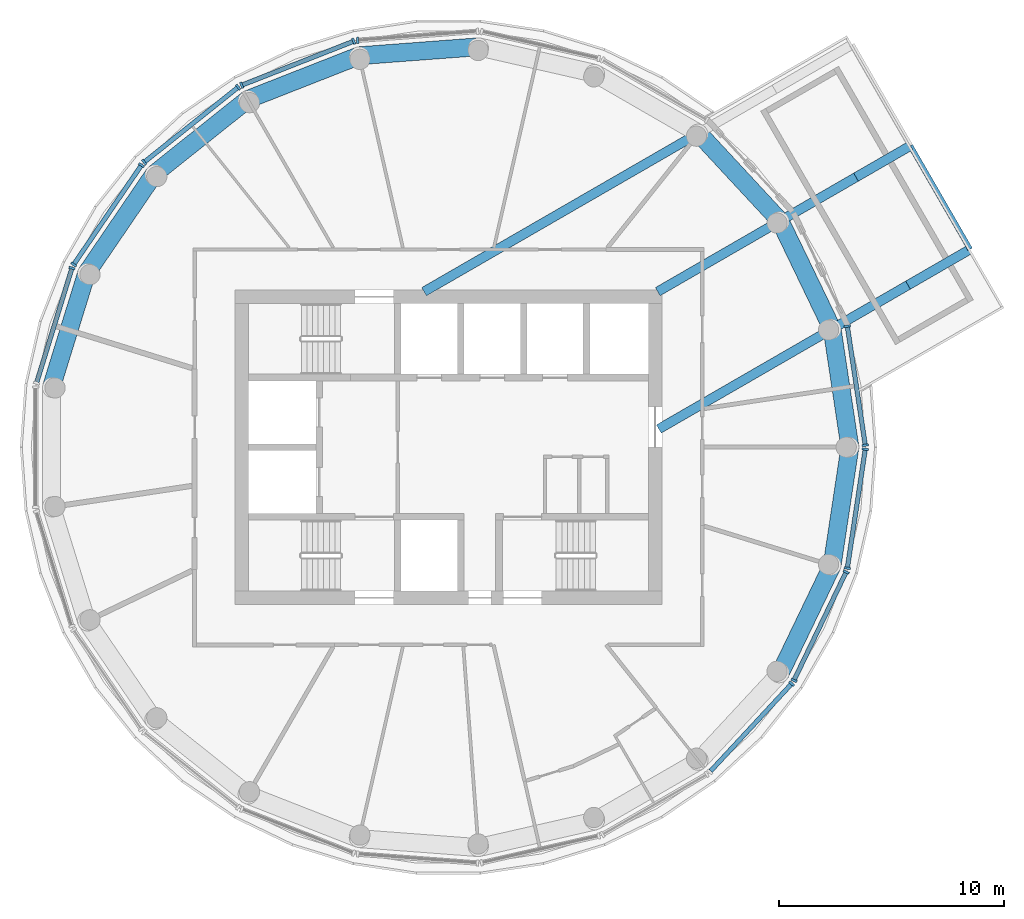
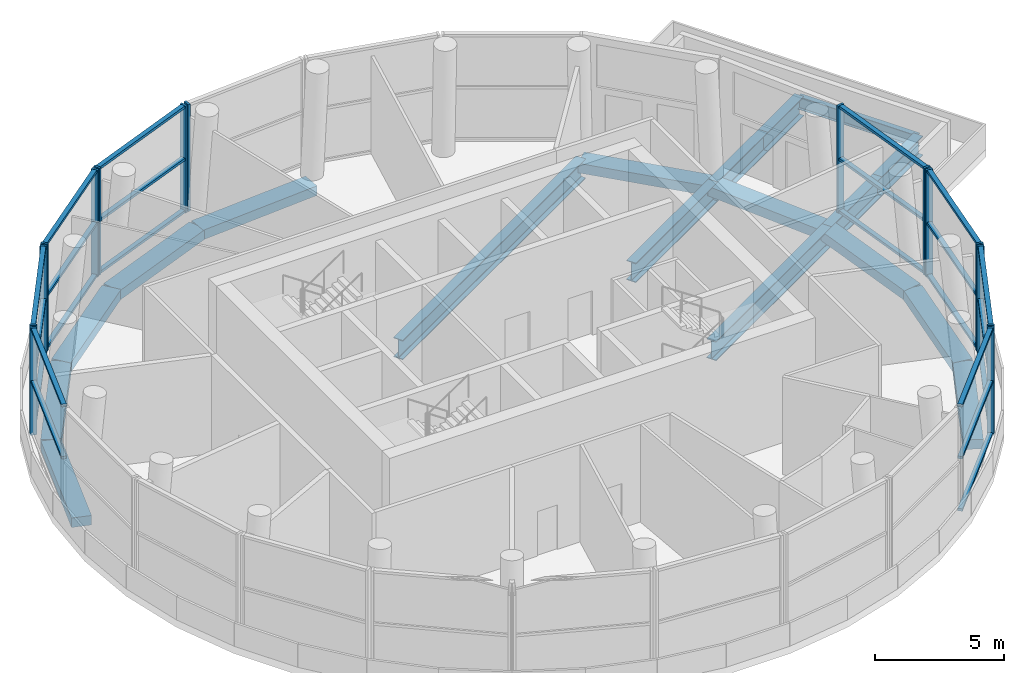
# One storey, part 2 of 10: 38 members, 18 beams, 9 elements without a shape of their own.
"""IFC4 building model written with IfcOpenShell, lengths in metres."""

from ifc_helpers import new_model, si_unit, direction, frame, origin, origin_2d, place, context, subcontext, project, spatial, rectangle, i_section, extrude, material, material_profile, profile_set, type_object, element, aggregate, save


model = new_model("IFC4")

# Units and contexts
model_context = context("Model", 3, precision=1e-05, world=origin(), true_north=direction((0.0, 1.0)))
body_context = subcontext(model_context, "Body", "Model", "MODEL_VIEW")
ifc_project = project(units=[si_unit("LENGTHUNIT", "METRE"), si_unit("AREAUNIT", "SQUARE_METRE"), si_unit("VOLUMEUNIT", "CUBIC_METRE"), si_unit("PLANEANGLEUNIT", "RADIAN"), si_unit("MASSUNIT", "GRAM", prefix="KILO")], contexts=[model_context])

# Site, building, storey
site_placement = place(None, origin())
site = spatial("IfcSite", under=ifc_project, at=site_placement, CompositionType="ELEMENT")
building_placement = place(site_placement, origin())
building = spatial("IfcBuilding", under=site, at=building_placement, Name="Tracery Tower", CompositionType="ELEMENT")
storey_placement = place(building_placement, frame((0.0, 0.0, 341.39990234375)))
storey = spatial("IfcBuildingStorey", under=building, at=storey_placement, Name="L88", CompositionType="ELEMENT", Elevation=341.39990234375)

# Beams
ifc_material_1 = material(Name="Concrete C40/50", Category="concrete")
ifc_material_profile_1 = material_profile(ifc_material_1, rectangle(XDim=0.800048828125, YDim=0.449951171875, at=origin_2d()), Name="RC 800x450")
ifc_profile_set_1 = profile_set([ifc_material_profile_1], Name="Concrete C40/50")
beam_type_1 = type_object("IfcBeamType", Name="Perimeter band beam 800x450", PredefinedType="BEAM", material=ifc_profile_set_1)
beam_1_placement = place(storey_placement, frame((17.87548828125, 0.0, -0.574951171875), z_axis=(-0.149050672167, 0.988829559189, 0.0), x_axis=(-0.988829559189, -0.149050672167, 0.0)))
element("IfcBeam", 1, at=beam_1_placement, inside=storey, type_object=beam_type_1, Name="Perimeter beam 2.00 under L88", PredefinedType="BEAM", context=body_context, shape_type="SweptSolid", body=[
    extrude(rectangle(XDim=0.800048828125, YDim=0.449951171875, at=origin_2d()), origin(), (0.0, 0.0, 1.0), 5.328369140625),
])
beam_2_placement = place(storey_placement, frame((17.081298828125, 5.268798828125, -0.574951171875), z_axis=(-0.433895517771, 0.900963195507, 0.0), x_axis=(-0.900963195507, -0.433895517771, 0.0)))
element("IfcBeam", 2, at=beam_2_placement, inside=storey, type_object=beam_type_1, Name="Perimeter beam 2.01 under L88", PredefinedType="BEAM", context=body_context, shape_type="SweptSolid", body=[
    extrude(rectangle(XDim=0.800048828125, YDim=0.449951171875, at=origin_2d()), origin(), (0.0, 0.0, 1.0), 5.32861328125),
])
for number, where, z_axis, x_axis, name in (
    (3, (14.769287109375, 10.069580078125, -0.574951171875), (-0.680150513849, 0.733072491989, 0.0), (-0.733072491989, -0.680150513849, 0.0), "Perimeter beam 2.02 under L88"),
    (4, (1.335693359375, 17.825439453125, -0.574951171875), (-0.997203750489, -0.074730716644, 0.0), (0.074730716644, -0.997203750489, 0.0), "Perimeter beam 2.05 under L88"),
):
    element("IfcBeam", number, at=place(storey_placement, frame(where, z_axis=z_axis, x_axis=x_axis)), inside=storey, type_object=beam_type_1, Name=name, PredefinedType="BEAM", context=body_context, shape_type="SweptSolid", body=[
        extrude(rectangle(XDim=0.800048828125, YDim=0.449951171875, at=origin_2d()), origin(), (0.0, 0.0, 1.0), 5.328369140625),
    ])
beam_3_placement = place(storey_placement, frame((-3.977783203125, 17.42724609375, -0.574951171875), z_axis=(-0.93088064288, -0.365323457653, 0.0), x_axis=(0.365323457653, -0.93088064288, 0.0)))
element("IfcBeam", 5, at=beam_3_placement, inside=storey, type_object=beam_type_1, Name="Perimeter beam 2.06 under L88", PredefinedType="BEAM", context=body_context, shape_type="SweptSolid", body=[
    extrude(rectangle(XDim=0.800048828125, YDim=0.449951171875, at=origin_2d()), origin(), (0.0, 0.0, 1.0), 5.328125),
])
beam_4_placement = place(storey_placement, frame((-8.937744140625, 15.480712890625, -0.574951171875), z_axis=(-0.781815589198, -0.623509730868, 0.0), x_axis=(0.623509730868, -0.781815589198, 0.0)))
element("IfcBeam", 6, at=beam_4_placement, inside=storey, type_object=beam_type_1, Name="Perimeter beam 2.07 under L88", PredefinedType="BEAM", context=body_context, shape_type="SweptSolid", body=[
    extrude(rectangle(XDim=0.800048828125, YDim=0.449951171875, at=origin_2d()), origin(), (0.0, 0.0, 1.0), 5.328369140625),
])
beam_5_placement = place(storey_placement, frame((-13.103515625, 12.158447265625, -0.574951171875), z_axis=(-0.563329716078, -0.826232189511, 0.0), x_axis=(0.826232189511, -0.563329716078, 0.0)))
element("IfcBeam", 7, at=beam_5_placement, inside=storey, type_object=beam_type_1, Name="Perimeter beam 2.08 under L88", PredefinedType="BEAM", context=body_context, shape_type="SweptSolid", body=[
    extrude(rectangle(XDim=0.800048828125, YDim=0.449951171875, at=origin_2d()), origin(), (0.0, 0.0, 1.0), 5.32861328125),
])
beam_6_placement = place(storey_placement, frame((-16.105224609375, 7.755859375, -0.574951171875), z_axis=(-0.29475870767, -0.955571715913, 0.0), x_axis=(0.955571715913, -0.29475870767, 0.0)))
element("IfcBeam", 8, at=beam_6_placement, inside=storey, type_object=beam_type_1, Name="Perimeter beam 2.09 under L88", PredefinedType="BEAM", context=body_context, shape_type="SweptSolid", body=[
    extrude(rectangle(XDim=0.800048828125, YDim=0.449951171875, at=origin_2d()), origin(), (0.0, 0.0, 1.0), 5.328369140625),
])
beam_7_placement = place(storey_placement, frame((14.769287109375, -10.069580078125, -0.574951171875), z_axis=(0.433895517771, 0.900963195507, 0.0), x_axis=(-0.900963195507, 0.433895517771, 0.0)))
element("IfcBeam", 9, at=beam_7_placement, inside=storey, type_object=beam_type_1, Name="Perimeter beam 2.19 under L88", PredefinedType="BEAM", context=body_context, shape_type="SweptSolid", body=[
    extrude(rectangle(XDim=0.800048828125, YDim=0.449951171875, at=origin_2d()), origin(), (0.0, 0.0, 1.0), 5.32861328125),
])
beam_8_placement = place(storey_placement, frame((17.081298828125, -5.268798828125, -0.574951171875), z_axis=(0.149050672167, 0.988829559189, 0.0), x_axis=(-0.988829559189, 0.149050672167, 0.0)))
element("IfcBeam", 10, at=beam_8_placement, inside=storey, type_object=beam_type_1, Name="Perimeter beam 2.20 under L88", PredefinedType="BEAM", context=body_context, shape_type="SweptSolid", body=[
    extrude(rectangle(XDim=0.800048828125, YDim=0.449951171875, at=origin_2d()), origin(), (0.0, 0.0, 1.0), 5.328369140625),
])
ifc_material_2 = material(Name="Steel S355", Category="steel")
ifc_material_profile_2 = material_profile(ifc_material_2, i_section(OverallWidth=0.42041015625, OverallDepth=0.9208984375, WebThickness=0.021484375, FlangeThickness=0.03662109375, FilletRadius=0.024169921875, at=origin_2d()), Name="UKB 914x419x388")
ifc_profile_set_2 = profile_set([ifc_material_profile_2], Name="Steel S355")
beam_type_2 = type_object("IfcBeamType", Name="Pool cantilever girder UKB 914x419x388", PredefinedType="BEAM", material=ifc_profile_set_2)
beam_9_placement = place(storey_placement, frame((17.10205078125, 5.275390625, -0.810302734375), z_axis=(0.866043088465, 0.499969367985, 0.0), x_axis=(-0.499969367985, 0.866043088465, 0.0)))
element("IfcBeam", 11, at=beam_9_placement, inside=storey, type_object=beam_type_2, Name="Pool girder 1 cantilever 1", PredefinedType="BEAM", context=body_context, shape_type="SweptSolid", body=[
    extrude(i_section(OverallWidth=0.42041015625, OverallDepth=0.9208984375, WebThickness=0.021484375, FlangeThickness=0.03662109375, FilletRadius=0.024169921875, at=origin_2d()), origin(), (0.0, 0.0, 1.0), 3.880126953125),
])
beam_10_placement = place(storey_placement, frame((20.46240234375, 7.21533203125, -0.810302734375), z_axis=(0.866017446268, 0.50001378257, 0.0), x_axis=(-0.50001378257, 0.866017446268, 0.0)))
element("IfcBeam", 12, at=beam_10_placement, inside=storey, type_object=beam_type_2, Name="Pool girder 1 cantilever 2", PredefinedType="BEAM", context=body_context, shape_type="SweptSolid", body=[
    extrude(i_section(OverallWidth=0.42041015625, OverallDepth=0.9208984375, WebThickness=0.021484375, FlangeThickness=0.03662109375, FilletRadius=0.024169921875, at=origin_2d()), origin(), (0.0, 0.0, 1.0), 3.19189453125),
])
beam_11_placement = place(storey_placement, frame((14.787353515625, 10.081787109375, -0.810302734375), z_axis=(0.866015843605, 0.50001655835, 0.0), x_axis=(-0.50001655835, 0.866015843605, 0.0)))
element("IfcBeam", 13, at=beam_11_placement, inside=storey, type_object=beam_type_2, Name="Pool girder 2 cantilever 1", PredefinedType="BEAM", context=body_context, shape_type="SweptSolid", body=[
    extrude(i_section(OverallWidth=0.42041015625, OverallDepth=0.9208984375, WebThickness=0.021484375, FlangeThickness=0.03662109375, FilletRadius=0.024169921875, at=origin_2d()), origin(), (0.0, 0.0, 1.0), 3.880126953125),
])
beam_12_placement = place(storey_placement, frame((18.147705078125, 12.02197265625, -0.810302734375), z_axis=(0.866018178441, 0.500012514453, 0.0), x_axis=(-0.500012514453, 0.866018178441, 0.0)))
element("IfcBeam", 14, at=beam_12_placement, inside=storey, type_object=beam_type_2, Name="Pool girder 2 cantilever 2", PredefinedType="BEAM", context=body_context, shape_type="SweptSolid", body=[
    extrude(i_section(OverallWidth=0.42041015625, OverallDepth=0.9208984375, WebThickness=0.021484375, FlangeThickness=0.03662109375, FilletRadius=0.024169921875, at=origin_2d()), origin(), (0.0, 0.0, 1.0), 2.79296875),
])
ifc_material_3 = material(Name="Steel S355", Category="steel")
ifc_material_profile_3 = material_profile(ifc_material_3, i_section(OverallWidth=0.42041015625, OverallDepth=0.9208984375, WebThickness=0.021484375, FlangeThickness=0.03662109375, FilletRadius=0.024169921875, at=origin_2d()), Name="UKB 914x419x388")
ifc_profile_set_3 = profile_set([ifc_material_profile_3], Name="Steel S355")
beam_type_3 = type_object("IfcBeamType", Name="Pool girder back-span UKB 914x419x388", PredefinedType="BEAM", material=ifc_profile_set_3)
beam_13_placement = place(storey_placement, frame((9.3701171875, 0.811279296875, -0.810302734375), z_axis=(0.866021650523, 0.500006500783, 0.0), x_axis=(-0.500006500783, 0.866021650523, 0.0)))
element("IfcBeam", 15, at=beam_13_placement, inside=storey, type_object=beam_type_3, Name="Pool girder 1 back-span", PredefinedType="BEAM", context=body_context, shape_type="SweptSolid", body=[
    extrude(i_section(OverallWidth=0.42041015625, OverallDepth=0.9208984375, WebThickness=0.021484375, FlangeThickness=0.03662109375, FilletRadius=0.024169921875, at=origin_2d()), origin(), (0.0, 0.0, 1.0), 8.92822265625),
])
beam_14_placement = place(storey_placement, frame((9.319580078125, 6.925048828125, -0.810302734375), z_axis=(0.866031040299, 0.499990237143, 0.0), x_axis=(-0.499990237143, 0.866031040299, 0.0)))
element("IfcBeam", 16, at=beam_14_placement, inside=storey, type_object=beam_type_3, Name="Pool girder 2 back-span", PredefinedType="BEAM", context=body_context, shape_type="SweptSolid", body=[
    extrude(i_section(OverallWidth=0.42041015625, OverallDepth=0.9208984375, WebThickness=0.021484375, FlangeThickness=0.03662109375, FilletRadius=0.024169921875, at=origin_2d()), origin(), (0.0, 0.0, 1.0), 6.313720703125),
])
beam_15_placement = place(storey_placement, frame((-1.082763671875, 6.925048828125, -0.810302734375), z_axis=(0.86602480433, 0.500001038283, 0.0), x_axis=(-0.500001038283, 0.86602480433, 0.0)))
element("IfcBeam", 17, at=beam_15_placement, inside=storey, type_object=beam_type_3, Name="Pool girder 3 back-span", PredefinedType="BEAM", context=body_context, shape_type="SweptSolid", body=[
    extrude(i_section(OverallWidth=0.42041015625, OverallDepth=0.9208984375, WebThickness=0.021484375, FlangeThickness=0.03662109375, FilletRadius=0.024169921875, at=origin_2d()), origin(), (0.0, 0.0, 1.0), 14.13525390625),
])
ifc_material_4 = material(Name="Steel S355", Category="steel")
ifc_material_profile_4 = material_profile(ifc_material_4, i_section(OverallWidth=0.228271484375, OverallDepth=0.607666015625, WebThickness=0.010986328125, FlangeThickness=0.017333984375, FilletRadius=0.0126953125, at=origin_2d()), Name="UKB 610x229x113")
ifc_profile_set_4 = profile_set([ifc_material_profile_4], Name="Steel S355")
beam_type_4 = type_object("IfcBeamType", Name="Pool tip edge beam UKB 610x229x113", PredefinedType="BEAM", material=ifc_profile_set_4)
beam_16_placement = place(storey_placement, frame((23.2265625, 8.811279296875, -0.65380859375), z_axis=(-0.500028328365, 0.866009047777, 0.0), x_axis=(-0.866009047777, -0.500028328365, 0.0)))
element("IfcBeam", 18, at=beam_16_placement, inside=storey, type_object=beam_type_4, Name="Pool tip edge beam 1", PredefinedType="BEAM", context=body_context, shape_type="SweptSolid", body=[
    extrude(i_section(OverallWidth=0.228271484375, OverallDepth=0.607666015625, WebThickness=0.010986328125, FlangeThickness=0.017333984375, FilletRadius=0.0126953125, at=origin_2d()), origin(), (0.0, 0.0, 1.0), 5.320068359375),
])

# Curtain wall, members
ifc_material_5 = material(Name="Aluminium curtain wall with tinted glass", Category="aluminium")
curtain_wall_type = type_object("IfcCurtainWallType", Name="Sky pool floor glazing curtain wall", PredefinedType="NOTDEFINED", material=ifc_material_5)
curtain_wall_1_placement = place(storey_placement, origin())
curtain_wall_1 = element("IfcCurtainWall", 19, at=curtain_wall_1_placement, inside=storey, type_object=curtain_wall_type, Name="Sky pool floor glazing run 00", PredefinedType="NOTDEFINED")
ifc_material_6 = material(Name="Aluminium, bronze anodised", Category="aluminium")
ifc_material_profile_5 = material_profile(ifc_material_6, rectangle(XDim=0.280029296875, YDim=0.10009765625, at=origin_2d()), Name="Sky pool floor glazing mullion 100 x 280")
ifc_profile_set_5 = profile_set([ifc_material_profile_5], Name="Aluminium, bronze anodised")
member_type_1 = type_object("IfcMemberType", Name="Sky pool floor glazing mullion 100 x 280", PredefinedType="MULLION", material=ifc_profile_set_5)
member_1_placement = place(storey_placement, frame((18.558837890625, 0.089111328125, 0.0), z_axis=(0.0, 0.0, 1.0), x_axis=(-0.988833000155, -0.14902784238, 0.0)))
member_1 = element("IfcMember", 20, at=member_1_placement, type_object=member_type_1, Name="CWB3 mullion 1", PredefinedType="MULLION", context=body_context, shape_type="SweptSolid", body=[
    extrude(rectangle(XDim=0.280029296875, YDim=0.10009765625, at=origin_2d()), origin(), (0.0, 0.0, 1.0), 5.050048828125),
])
member_2_placement = place(storey_placement, frame((17.760498046875, 5.38525390625, 0.0), z_axis=(0.0, 0.0, 1.0), x_axis=(-0.988833000155, -0.14902784238, 0.0)))
member_2 = element("IfcMember", 21, at=member_2_placement, type_object=member_type_1, Name="CWB3 mullion 2", PredefinedType="MULLION", context=body_context, shape_type="SweptSolid", body=[
    extrude(rectangle(XDim=0.280029296875, YDim=0.10009765625, at=origin_2d()), origin(), (0.0, 0.0, 1.0), 5.050048828125),
])

# Curtain wall, member
curtain_wall_2_placement = place(storey_placement, origin())
curtain_wall_2 = element("IfcCurtainWall", 22, at=curtain_wall_2_placement, inside=storey, type_object=curtain_wall_type, Name="Sky pool floor glazing run 05", PredefinedType="NOTDEFINED")
member_3_placement = place(storey_placement, frame((-4.04296875, 18.11328125, 0.0), z_axis=(0.0, 0.0, 1.0), x_axis=(0.074742561292, -0.997202862777, 0.0)))
member_3 = element("IfcMember", 23, at=member_3_placement, type_object=member_type_1, Name="CWB3 mullion 2", PredefinedType="MULLION", context=body_context, shape_type="SweptSolid", body=[
    extrude(rectangle(XDim=0.280029296875, YDim=0.10009765625, at=origin_2d()), origin(), (0.0, 0.0, 1.0), 5.050048828125),
])
aggregate(curtain_wall_2, [member_3])

# Curtain wall, members
curtain_wall_3_placement = place(storey_placement, origin())
curtain_wall_3 = element("IfcCurtainWall", 24, at=curtain_wall_3_placement, inside=storey, type_object=curtain_wall_type, Name="Sky pool floor glazing run 06", PredefinedType="NOTDEFINED")
member_4_placement = place(storey_placement, frame((-4.216552734375, 18.07373046875, 0.0), z_axis=(0.0, 0.0, 1.0), x_axis=(0.365331398589, -0.930877526426, 0.0)))
member_4 = element("IfcMember", 25, at=member_4_placement, type_object=member_type_1, Name="CWB3 mullion 1", PredefinedType="MULLION", context=body_context, shape_type="SweptSolid", body=[
    extrude(rectangle(XDim=0.280029296875, YDim=0.10009765625, at=origin_2d()), origin(), (0.0, 0.0, 1.0), 5.050048828125),
])
member_5_placement = place(storey_placement, frame((-9.202392578125, 16.116943359375, 0.0), z_axis=(0.0, 0.0, 1.0), x_axis=(0.365331398589, -0.930877526426, 0.0)))
member_5 = element("IfcMember", 26, at=member_5_placement, type_object=member_type_1, Name="CWB3 mullion 2", PredefinedType="MULLION", context=body_context, shape_type="SweptSolid", body=[
    extrude(rectangle(XDim=0.280029296875, YDim=0.10009765625, at=origin_2d()), origin(), (0.0, 0.0, 1.0), 5.050048828125),
])

curtain_wall_4_placement = place(storey_placement, origin())
curtain_wall_4 = element("IfcCurtainWall", 27, at=curtain_wall_4_placement, inside=storey, type_object=curtain_wall_type, Name="Sky pool floor glazing run 07", PredefinedType="NOTDEFINED")
member_6_placement = place(storey_placement, frame((-9.3564453125, 16.02783203125, 0.0), z_axis=(0.0, 0.0, 1.0), x_axis=(0.623502995262, -0.781820960898, 0.0)))
member_6 = element("IfcMember", 28, at=member_6_placement, type_object=member_type_1, Name="CWB3 mullion 1", PredefinedType="MULLION", context=body_context, shape_type="SweptSolid", body=[
    extrude(rectangle(XDim=0.280029296875, YDim=0.10009765625, at=origin_2d()), origin(), (0.0, 0.0, 1.0), 5.050048828125),
])
member_7_placement = place(storey_placement, frame((-13.5439453125, 12.6884765625, 0.0), z_axis=(0.0, 0.0, 1.0), x_axis=(0.623502995262, -0.781820960898, 0.0)))
member_7 = element("IfcMember", 29, at=member_7_placement, type_object=member_type_1, Name="CWB3 mullion 2", PredefinedType="MULLION", context=body_context, shape_type="SweptSolid", body=[
    extrude(rectangle(XDim=0.280029296875, YDim=0.10009765625, at=origin_2d()), origin(), (0.0, 0.0, 1.0), 5.050048828125),
])

curtain_wall_5_placement = place(storey_placement, origin())
curtain_wall_5 = element("IfcCurtainWall", 30, at=curtain_wall_5_placement, inside=storey, type_object=curtain_wall_type, Name="Sky pool floor glazing run 08", PredefinedType="NOTDEFINED")
member_8_placement = place(storey_placement, frame((-13.6650390625, 12.55810546875, 0.0), z_axis=(0.0, 0.0, 1.0), x_axis=(0.826244791498, -0.563311232377, 0.0)))
member_8 = element("IfcMember", 31, at=member_8_placement, type_object=member_type_1, Name="CWB3 mullion 1", PredefinedType="MULLION", context=body_context, shape_type="SweptSolid", body=[
    extrude(rectangle(XDim=0.280029296875, YDim=0.10009765625, at=origin_2d()), origin(), (0.0, 0.0, 1.0), 5.050048828125),
])
member_9_placement = place(storey_placement, frame((-16.68212890625, 8.132568359375, 0.0), z_axis=(0.0, 0.0, 1.0), x_axis=(0.826244791498, -0.563311232377, 0.0)))
member_9 = element("IfcMember", 32, at=member_9_placement, type_object=member_type_1, Name="CWB3 mullion 2", PredefinedType="MULLION", context=body_context, shape_type="SweptSolid", body=[
    extrude(rectangle(XDim=0.280029296875, YDim=0.10009765625, at=origin_2d()), origin(), (0.0, 0.0, 1.0), 5.050048828125),
])

# Curtain wall, member
curtain_wall_6_placement = place(storey_placement, origin())
curtain_wall_6 = element("IfcCurtainWall", 33, at=curtain_wall_6_placement, inside=storey, type_object=curtain_wall_type, Name="Sky pool floor glazing run 09", PredefinedType="NOTDEFINED")
member_10_placement = place(storey_placement, frame((-16.759521484375, 7.97216796875, 0.0), z_axis=(0.0, 0.0, 1.0), x_axis=(0.955573500875, -0.294752920979, 0.0)))
member_10 = element("IfcMember", 34, at=member_10_placement, type_object=member_type_1, Name="CWB3 mullion 1", PredefinedType="MULLION", context=body_context, shape_type="SweptSolid", body=[
    extrude(rectangle(XDim=0.280029296875, YDim=0.10009765625, at=origin_2d()), origin(), (0.0, 0.0, 1.0), 5.050048828125),
])

curtain_wall_7_placement = place(storey_placement, origin())
curtain_wall_7 = element("IfcCurtainWall", 35, at=curtain_wall_7_placement, inside=storey, type_object=curtain_wall_type, Name="Sky pool floor glazing run 18", PredefinedType="NOTDEFINED")
member_11_placement = place(storey_placement, frame((15.283935546875, -10.528076171875, 0.0), z_axis=(0.0, 0.0, 1.0), x_axis=(-0.733050635226, 0.680174070511, 0.0)))
member_11 = element("IfcMember", 36, at=member_11_placement, type_object=member_type_1, Name="CWB3 mullion 2", PredefinedType="MULLION", context=body_context, shape_type="SweptSolid", body=[
    extrude(rectangle(XDim=0.280029296875, YDim=0.10009765625, at=origin_2d()), origin(), (0.0, 0.0, 1.0), 5.050048828125),
])

# Curtain wall, members
curtain_wall_8_placement = place(storey_placement, origin())
curtain_wall_8 = element("IfcCurtainWall", 37, at=curtain_wall_8_placement, inside=storey, type_object=curtain_wall_type, Name="Sky pool floor glazing run 19", PredefinedType="NOTDEFINED")
member_12_placement = place(storey_placement, frame((15.384033203125, -10.381103515625, 0.0), z_axis=(0.0, 0.0, 1.0), x_axis=(-0.900970624052, 0.433880092417, 0.0)))
member_12 = element("IfcMember", 38, at=member_12_placement, type_object=member_type_1, Name="CWB3 mullion 1", PredefinedType="MULLION", context=body_context, shape_type="SweptSolid", body=[
    extrude(rectangle(XDim=0.280029296875, YDim=0.10009765625, at=origin_2d()), origin(), (0.0, 0.0, 1.0), 5.050048828125),
])
member_13_placement = place(storey_placement, frame((17.7080078125, -5.555419921875, 0.0), z_axis=(0.0, 0.0, 1.0), x_axis=(-0.900970624052, 0.433880092417, 0.0)))
member_13 = element("IfcMember", 39, at=member_13_placement, type_object=member_type_1, Name="CWB3 mullion 2", PredefinedType="MULLION", context=body_context, shape_type="SweptSolid", body=[
    extrude(rectangle(XDim=0.280029296875, YDim=0.10009765625, at=origin_2d()), origin(), (0.0, 0.0, 1.0), 5.050048828125),
])

curtain_wall_9_placement = place(storey_placement, origin())
curtain_wall_9 = element("IfcCurtainWall", 40, at=curtain_wall_9_placement, inside=storey, type_object=curtain_wall_type, Name="Sky pool floor glazing run 20", PredefinedType="NOTDEFINED")
member_14_placement = place(storey_placement, frame((17.760498046875, -5.38525390625, 0.0), z_axis=(0.0, 0.0, 1.0), x_axis=(-0.988833000155, 0.14902784238, 0.0)))
member_14 = element("IfcMember", 41, at=member_14_placement, type_object=member_type_1, Name="CWB3 mullion 1", PredefinedType="MULLION", context=body_context, shape_type="SweptSolid", body=[
    extrude(rectangle(XDim=0.280029296875, YDim=0.10009765625, at=origin_2d()), origin(), (0.0, 0.0, 1.0), 5.050048828125),
])
member_15_placement = place(storey_placement, frame((18.558837890625, -0.089111328125, 0.0), z_axis=(0.0, 0.0, 1.0), x_axis=(-0.988833000155, 0.14902784238, 0.0)))
member_15 = element("IfcMember", 42, at=member_15_placement, type_object=member_type_1, Name="CWB3 mullion 2", PredefinedType="MULLION", context=body_context, shape_type="SweptSolid", body=[
    extrude(rectangle(XDim=0.280029296875, YDim=0.10009765625, at=origin_2d()), origin(), (0.0, 0.0, 1.0), 5.050048828125),
])

# Member
ifc_material_7 = material(Name="Aluminium, bronze anodised", Category="aluminium")
ifc_material_profile_6 = material_profile(ifc_material_7, rectangle(XDim=0.199951171875, YDim=0.1201171875, at=origin_2d()), Name="Sky pool floor glazing transom 120 x 200")
ifc_profile_set_6 = profile_set([ifc_material_profile_6], Name="Aluminium, bronze anodised")
member_type_2 = type_object("IfcMemberType", Name="Sky pool floor glazing transom 120 x 200", PredefinedType="USERDEFINED", material=ifc_profile_set_6)
member_16_placement = place(storey_placement, frame((18.55126953125, 0.138427734375, 0.06005859375), z_axis=(-0.149005912277, 0.98883630501, 0.0), x_axis=(-0.98883630501, -0.149005912277, 0.0)))
member_16 = element("IfcMember", 43, at=member_16_placement, type_object=member_type_2, Name="CWB3 transom 1.1", ObjectType="TRANSOM", PredefinedType="USERDEFINED", context=body_context, shape_type="SweptSolid", body=[
    extrude(rectangle(XDim=0.199951171875, YDim=0.1201171875, at=origin_2d()), origin(), (0.0, 0.0, 1.0), 5.256103515625),
])

member_17_placement = place(storey_placement, frame((18.55126953125, 0.138427734375, 2.525146484375), z_axis=(-0.149005912277, 0.98883630501, 0.0), x_axis=(-0.98883630501, -0.149005912277, 0.0)))
member_17 = element("IfcMember", 44, at=member_17_placement, type_object=member_type_2, Name="CWB3 transom 1.2", ObjectType="TRANSOM", PredefinedType="USERDEFINED", context=body_context, shape_type="SweptSolid", body=[
    extrude(rectangle(XDim=0.199951171875, YDim=0.1201171875, at=origin_2d()), origin(), (0.0, 0.0, 1.0), 5.256103515625),
])

member_18_placement = place(storey_placement, frame((18.55126953125, 0.138427734375, 4.989990234375), z_axis=(-0.149005912277, 0.98883630501, 0.0), x_axis=(-0.98883630501, -0.149005912277, 0.0)))
member_18 = element("IfcMember", 45, at=member_18_placement, type_object=member_type_2, Name="CWB3 transom 1.3", ObjectType="TRANSOM", PredefinedType="USERDEFINED", context=body_context, shape_type="SweptSolid", body=[
    extrude(rectangle(XDim=0.199951171875, YDim=0.1201171875, at=origin_2d()), origin(), (0.0, 0.0, 1.0), 5.256103515625),
])

aggregate(curtain_wall_1, [member_1, member_2, member_16, member_17, member_18])

member_19_placement = place(storey_placement, frame((-4.262939453125, 18.055419921875, 0.06005859375), z_axis=(-0.930881850355, -0.365320380871, 0.0), x_axis=(0.365320380871, -0.930881850355, 0.0)))
member_19 = element("IfcMember", 46, at=member_19_placement, type_object=member_type_2, Name="CWB3 transom 1.1", ObjectType="TRANSOM", PredefinedType="USERDEFINED", context=body_context, shape_type="SweptSolid", body=[
    extrude(rectangle(XDim=0.199951171875, YDim=0.1201171875, at=origin_2d()), origin(), (0.0, 0.0, 1.0), 5.256103515625),
])

member_20_placement = place(storey_placement, frame((-4.262939453125, 18.055419921875, 2.525146484375), z_axis=(-0.930881850355, -0.365320380871, 0.0), x_axis=(0.365320380871, -0.930881850355, 0.0)))
member_20 = element("IfcMember", 47, at=member_20_placement, type_object=member_type_2, Name="CWB3 transom 1.2", ObjectType="TRANSOM", PredefinedType="USERDEFINED", context=body_context, shape_type="SweptSolid", body=[
    extrude(rectangle(XDim=0.199951171875, YDim=0.1201171875, at=origin_2d()), origin(), (0.0, 0.0, 1.0), 5.256103515625),
])

member_21_placement = place(storey_placement, frame((-4.262939453125, 18.055419921875, 4.989990234375), z_axis=(-0.930881850355, -0.365320380871, 0.0), x_axis=(0.365320380871, -0.930881850355, 0.0)))
member_21 = element("IfcMember", 48, at=member_21_placement, type_object=member_type_2, Name="CWB3 transom 1.3", ObjectType="TRANSOM", PredefinedType="USERDEFINED", context=body_context, shape_type="SweptSolid", body=[
    extrude(rectangle(XDim=0.199951171875, YDim=0.1201171875, at=origin_2d()), origin(), (0.0, 0.0, 1.0), 5.256103515625),
])

aggregate(curtain_wall_3, [member_4, member_5, member_19, member_20, member_21])

member_22_placement = place(storey_placement, frame((-9.3955078125, 15.996826171875, 0.06005859375), z_axis=(-0.781810472413, -0.623516146724, 0.0), x_axis=(0.623516146724, -0.781810472413, 0.0)))
member_22 = element("IfcMember", 49, at=member_22_placement, type_object=member_type_2, Name="CWB3 transom 1.1", ObjectType="TRANSOM", PredefinedType="USERDEFINED", context=body_context, shape_type="SweptSolid", body=[
    extrude(rectangle(XDim=0.199951171875, YDim=0.1201171875, at=origin_2d()), origin(), (0.0, 0.0, 1.0), 5.25634765625),
])

member_23_placement = place(storey_placement, frame((-9.3955078125, 15.996826171875, 2.525146484375), z_axis=(-0.781810472413, -0.623516146724, 0.0), x_axis=(0.623516146724, -0.781810472413, 0.0)))
member_23 = element("IfcMember", 50, at=member_23_placement, type_object=member_type_2, Name="CWB3 transom 1.2", ObjectType="TRANSOM", PredefinedType="USERDEFINED", context=body_context, shape_type="SweptSolid", body=[
    extrude(rectangle(XDim=0.199951171875, YDim=0.1201171875, at=origin_2d()), origin(), (0.0, 0.0, 1.0), 5.25634765625),
])

member_24_placement = place(storey_placement, frame((-9.3955078125, 15.996826171875, 4.989990234375), z_axis=(-0.781810472413, -0.623516146724, 0.0), x_axis=(0.623516146724, -0.781810472413, 0.0)))
member_24 = element("IfcMember", 51, at=member_24_placement, type_object=member_type_2, Name="CWB3 transom 1.3", ObjectType="TRANSOM", PredefinedType="USERDEFINED", context=body_context, shape_type="SweptSolid", body=[
    extrude(rectangle(XDim=0.199951171875, YDim=0.1201171875, at=origin_2d()), origin(), (0.0, 0.0, 1.0), 5.25634765625),
])

aggregate(curtain_wall_4, [member_6, member_7, member_22, member_23, member_24])

member_25_placement = place(storey_placement, frame((-13.693115234375, 12.5166015625, 0.06005859375), z_axis=(-0.563331059473, -0.826231273575, 0.0), x_axis=(0.826231273575, -0.563331059473, 0.0)))
member_25 = element("IfcMember", 52, at=member_25_placement, type_object=member_type_2, Name="CWB3 transom 1.1", ObjectType="TRANSOM", PredefinedType="USERDEFINED", context=body_context, shape_type="SweptSolid", body=[
    extrude(rectangle(XDim=0.199951171875, YDim=0.1201171875, at=origin_2d()), origin(), (0.0, 0.0, 1.0), 5.256103515625),
])

member_26_placement = place(storey_placement, frame((-13.693115234375, 12.5166015625, 2.525146484375), z_axis=(-0.563331059473, -0.826231273575, 0.0), x_axis=(0.826231273575, -0.563331059473, 0.0)))
member_26 = element("IfcMember", 53, at=member_26_placement, type_object=member_type_2, Name="CWB3 transom 1.2", ObjectType="TRANSOM", PredefinedType="USERDEFINED", context=body_context, shape_type="SweptSolid", body=[
    extrude(rectangle(XDim=0.199951171875, YDim=0.1201171875, at=origin_2d()), origin(), (0.0, 0.0, 1.0), 5.256103515625),
])

member_27_placement = place(storey_placement, frame((-13.693115234375, 12.5166015625, 4.989990234375), z_axis=(-0.563331059473, -0.826231273575, 0.0), x_axis=(0.826231273575, -0.563331059473, 0.0)))
member_27 = element("IfcMember", 54, at=member_27_placement, type_object=member_type_2, Name="CWB3 transom 1.3", ObjectType="TRANSOM", PredefinedType="USERDEFINED", context=body_context, shape_type="SweptSolid", body=[
    extrude(rectangle(XDim=0.199951171875, YDim=0.1201171875, at=origin_2d()), origin(), (0.0, 0.0, 1.0), 5.256103515625),
])

aggregate(curtain_wall_5, [member_8, member_9, member_25, member_26, member_27])

member_28_placement = place(storey_placement, frame((-16.774169921875, 7.924560546875, 2.525146484375), z_axis=(-0.294758140274, -0.955571890933, 0.0), x_axis=(0.955571890933, -0.294758140274, 0.0)))
member_28 = element("IfcMember", 55, at=member_28_placement, type_object=member_type_2, Name="CWB3 transom 1.2", ObjectType="TRANSOM", PredefinedType="USERDEFINED", context=body_context, shape_type="SweptSolid", body=[
    extrude(rectangle(XDim=0.199951171875, YDim=0.1201171875, at=origin_2d()), origin(), (0.0, 0.0, 1.0), 5.25634765625),
])

member_29_placement = place(storey_placement, frame((-16.774169921875, 7.924560546875, 4.989990234375), z_axis=(-0.294758140274, -0.955571890933, 0.0), x_axis=(0.955571890933, -0.294758140274, 0.0)))
member_29 = element("IfcMember", 56, at=member_29_placement, type_object=member_type_2, Name="CWB3 transom 1.3", ObjectType="TRANSOM", PredefinedType="USERDEFINED", context=body_context, shape_type="SweptSolid", body=[
    extrude(rectangle(XDim=0.199951171875, YDim=0.1201171875, at=origin_2d()), origin(), (0.0, 0.0, 1.0), 5.25634765625),
])

aggregate(curtain_wall_6, [member_10, member_28, member_29])

member_30_placement = place(storey_placement, frame((11.6748046875, -14.417724609375, 0.06005859375), z_axis=(0.680183819324, 0.733041589495, 0.0), x_axis=(-0.733041589495, 0.680183819324, 0.0)))
member_30 = element("IfcMember", 57, at=member_30_placement, type_object=member_type_2, Name="CWB3 transom 1.1", ObjectType="TRANSOM", PredefinedType="USERDEFINED", context=body_context, shape_type="SweptSolid", body=[
    extrude(rectangle(XDim=0.199951171875, YDim=0.1201171875, at=origin_2d()), origin(), (0.0, 0.0, 1.0), 5.256103515625),
])

member_31_placement = place(storey_placement, frame((11.6748046875, -14.417724609375, 2.525146484375), z_axis=(0.680183819324, 0.733041589495, 0.0), x_axis=(-0.733041589495, 0.680183819324, 0.0)))
member_31 = element("IfcMember", 58, at=member_31_placement, type_object=member_type_2, Name="CWB3 transom 1.2", ObjectType="TRANSOM", PredefinedType="USERDEFINED", context=body_context, shape_type="SweptSolid", body=[
    extrude(rectangle(XDim=0.199951171875, YDim=0.1201171875, at=origin_2d()), origin(), (0.0, 0.0, 1.0), 5.256103515625),
])

member_32_placement = place(storey_placement, frame((11.6748046875, -14.417724609375, 4.989990234375), z_axis=(0.680183819324, 0.733041589495, 0.0), x_axis=(-0.733041589495, 0.680183819324, 0.0)))
member_32 = element("IfcMember", 59, at=member_32_placement, type_object=member_type_2, Name="CWB3 transom 1.3", ObjectType="TRANSOM", PredefinedType="USERDEFINED", context=body_context, shape_type="SweptSolid", body=[
    extrude(rectangle(XDim=0.199951171875, YDim=0.1201171875, at=origin_2d()), origin(), (0.0, 0.0, 1.0), 5.256103515625),
])

aggregate(curtain_wall_7, [member_11, member_30, member_31, member_32])

member_33_placement = place(storey_placement, frame((15.40576171875, -10.3359375, 0.06005859375), z_axis=(0.433879860014, 0.90097073597, 0.0), x_axis=(-0.90097073597, 0.433879860014, 0.0)))
member_33 = element("IfcMember", 60, at=member_33_placement, type_object=member_type_2, Name="CWB3 transom 1.1", ObjectType="TRANSOM", PredefinedType="USERDEFINED", context=body_context, shape_type="SweptSolid", body=[
    extrude(rectangle(XDim=0.199951171875, YDim=0.1201171875, at=origin_2d()), origin(), (0.0, 0.0, 1.0), 5.256103515625),
])

member_34_placement = place(storey_placement, frame((15.40576171875, -10.3359375, 2.525146484375), z_axis=(0.433879860014, 0.90097073597, 0.0), x_axis=(-0.90097073597, 0.433879860014, 0.0)))
member_34 = element("IfcMember", 61, at=member_34_placement, type_object=member_type_2, Name="CWB3 transom 1.2", ObjectType="TRANSOM", PredefinedType="USERDEFINED", context=body_context, shape_type="SweptSolid", body=[
    extrude(rectangle(XDim=0.199951171875, YDim=0.1201171875, at=origin_2d()), origin(), (0.0, 0.0, 1.0), 5.256103515625),
])

member_35_placement = place(storey_placement, frame((15.40576171875, -10.3359375, 4.989990234375), z_axis=(0.433879860014, 0.90097073597, 0.0), x_axis=(-0.90097073597, 0.433879860014, 0.0)))
member_35 = element("IfcMember", 62, at=member_35_placement, type_object=member_type_2, Name="CWB3 transom 1.3", ObjectType="TRANSOM", PredefinedType="USERDEFINED", context=body_context, shape_type="SweptSolid", body=[
    extrude(rectangle(XDim=0.199951171875, YDim=0.1201171875, at=origin_2d()), origin(), (0.0, 0.0, 1.0), 5.256103515625),
])

aggregate(curtain_wall_8, [member_12, member_13, member_33, member_34, member_35])

member_36_placement = place(storey_placement, frame((17.76806640625, -5.3359375, 0.06005859375), z_axis=(0.149005912277, 0.98883630501, 0.0), x_axis=(-0.98883630501, 0.149005912277, 0.0)))
member_36 = element("IfcMember", 63, at=member_36_placement, type_object=member_type_2, Name="CWB3 transom 1.1", ObjectType="TRANSOM", PredefinedType="USERDEFINED", context=body_context, shape_type="SweptSolid", body=[
    extrude(rectangle(XDim=0.199951171875, YDim=0.1201171875, at=origin_2d()), origin(), (0.0, 0.0, 1.0), 5.256103515625),
])

member_37_placement = place(storey_placement, frame((17.76806640625, -5.3359375, 2.525146484375), z_axis=(0.149005912277, 0.98883630501, 0.0), x_axis=(-0.98883630501, 0.149005912277, 0.0)))
member_37 = element("IfcMember", 64, at=member_37_placement, type_object=member_type_2, Name="CWB3 transom 1.2", ObjectType="TRANSOM", PredefinedType="USERDEFINED", context=body_context, shape_type="SweptSolid", body=[
    extrude(rectangle(XDim=0.199951171875, YDim=0.1201171875, at=origin_2d()), origin(), (0.0, 0.0, 1.0), 5.256103515625),
])

member_38_placement = place(storey_placement, frame((17.76806640625, -5.3359375, 4.989990234375), z_axis=(0.149005912277, 0.98883630501, 0.0), x_axis=(-0.98883630501, 0.149005912277, 0.0)))
member_38 = element("IfcMember", 65, at=member_38_placement, type_object=member_type_2, Name="CWB3 transom 1.3", ObjectType="TRANSOM", PredefinedType="USERDEFINED", context=body_context, shape_type="SweptSolid", body=[
    extrude(rectangle(XDim=0.199951171875, YDim=0.1201171875, at=origin_2d()), origin(), (0.0, 0.0, 1.0), 5.256103515625),
])

aggregate(curtain_wall_9, [member_14, member_15, member_36, member_37, member_38])

save(model, "model.ifc")
